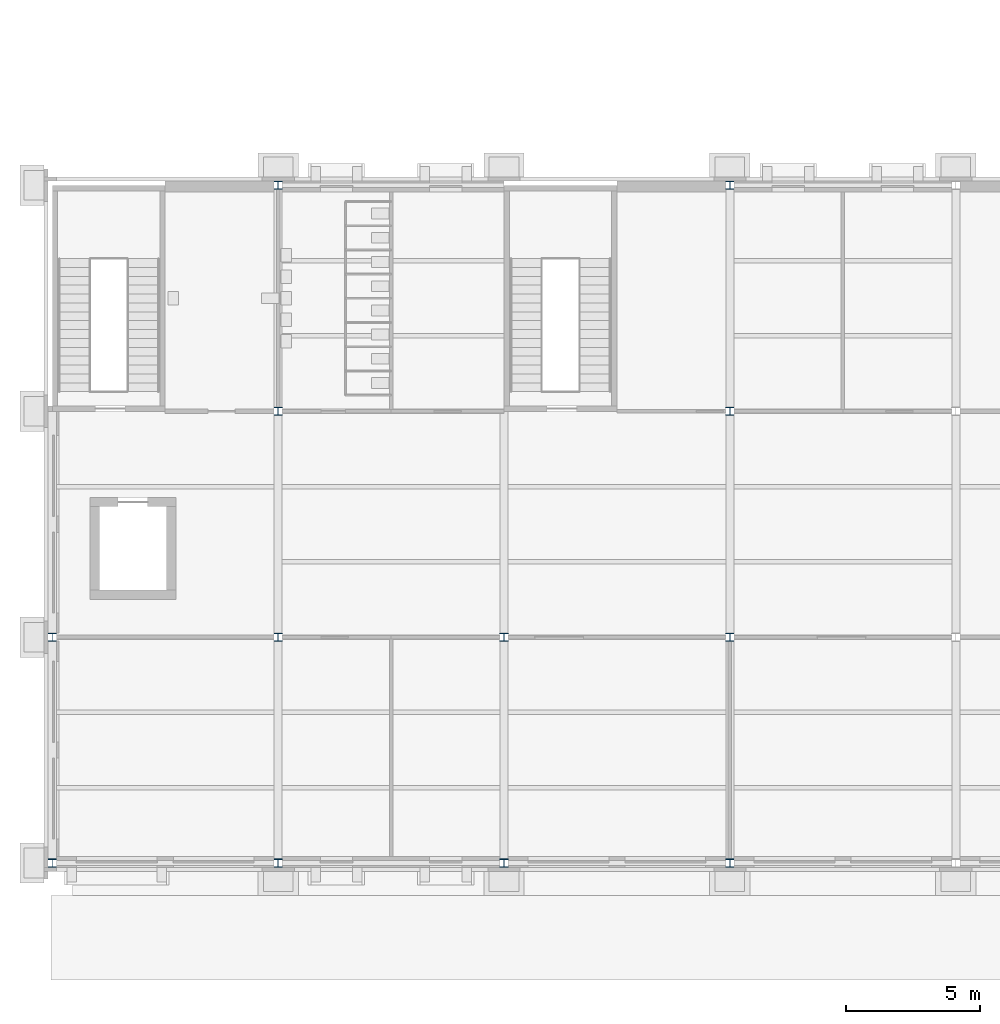
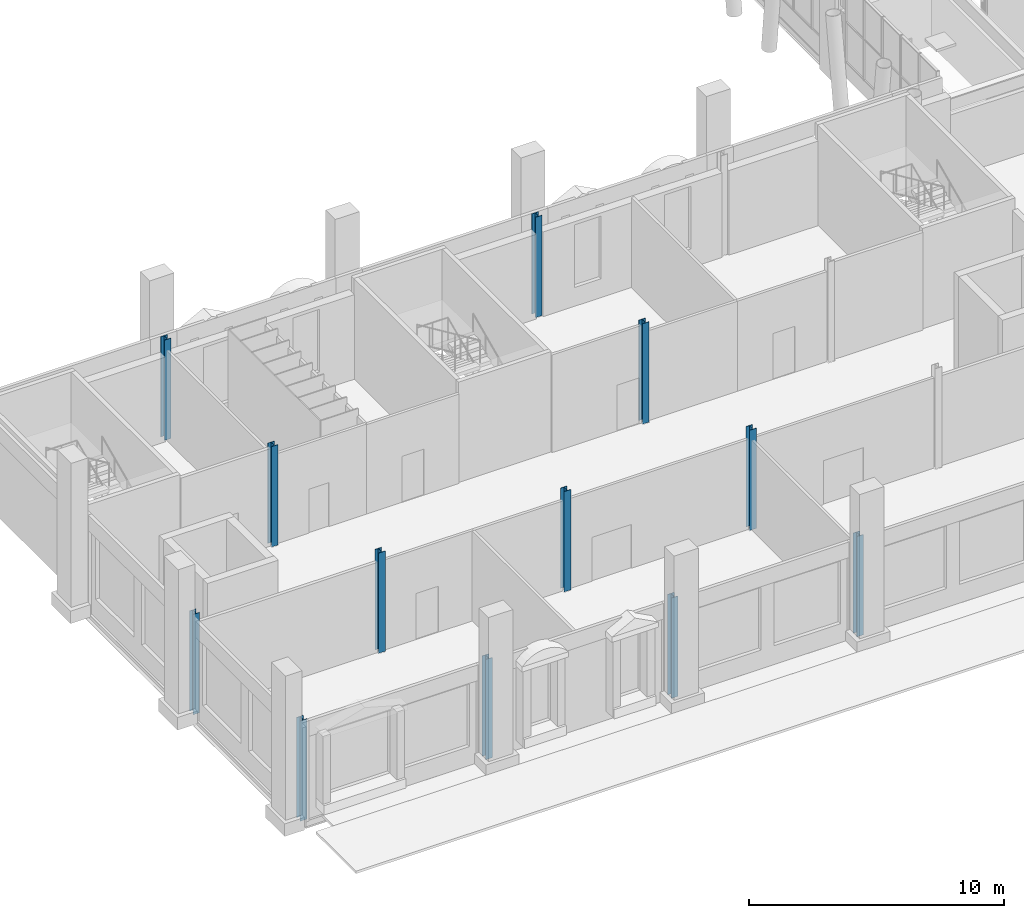
# One storey, part 1 of 76: 12 columns.
"""IFC4 building model written with IfcOpenShell, lengths in metres."""

from ifc_helpers import new_model, si_unit, direction, frame, origin, origin_2d, place, context, subcontext, project, spatial, i_section, extrude, material, material_profile, profile_set, type_object, element, save


model = new_model("IFC4")

# Units and contexts
model_context = context("Model", 3, precision=1e-05, world=origin(), true_north=direction((0.0, 1.0)))
body_context = subcontext(model_context, "Body", "Model", "MODEL_VIEW")
ifc_project = project(units=[si_unit("LENGTHUNIT", "METRE"), si_unit("AREAUNIT", "SQUARE_METRE"), si_unit("VOLUMEUNIT", "CUBIC_METRE"), si_unit("PLANEANGLEUNIT", "RADIAN"), si_unit("MASSUNIT", "GRAM", prefix="KILO")], contexts=[model_context])

# Site, building, storey
site_placement = place(None, origin())
site = spatial("IfcSite", under=ifc_project, at=site_placement, CompositionType="ELEMENT")
building_placement = place(site_placement, origin())
building = spatial("IfcBuilding", under=site, at=building_placement, Name="Sava Quay Ferry Terminal", CompositionType="ELEMENT")
storey_placement = place(building_placement, frame((0.0, 0.0, 6.0)))
storey = spatial("IfcBuildingStorey", under=building, at=storey_placement, Name="L01", CompositionType="ELEMENT", Elevation=6.0)

# Columns
ifc_material = material(Name="Steel S355", Category="steel")
ifc_material_profile = material_profile(ifc_material, i_section(OverallWidth=0.300048828125, OverallDepth=0.300048828125, WebThickness=0.010986328125, FlangeThickness=0.01904296875, at=origin_2d()), Name="HE 300 B")
ifc_profile_set = profile_set([ifc_material_profile], Name="Steel S355")
column_type = type_object("IfcColumnType", Name="Column HE 300 B", PredefinedType="COLUMN", material=ifc_profile_set)
for number, where, z_axis, x_axis, name in (
    (1, (0.0, 25.199951171875, 0.0), (0.0, 0.0, 1.0), (1.0, 0.0, 0.0), "Column L01 0/25.2"),
    (2, (0.0, 33.60009765625, 0.0), (0.0, 0.0, 1.0), (1.0, 0.0, 0.0), "Column L01 0/33.6"),
    (3, (8.39990234375, 25.199951171875, 0.0), (0.0, 0.0, 1.0), (1.0, 0.0, 0.0), "Column L01 8.4/25.2"),
    (4, (8.39990234375, 33.60009765625, 0.0), (0.0, 0.0, 1.0), (1.0, 0.0, 0.0), "Column L01 8.4/33.6"),
    (5, (8.39990234375, 42.0, 0.0), (0.0, 0.0, 1.0), (1.0, 0.0, 0.0), "Column L01 8.4/42"),
    (6, (8.39990234375, 50.39990234375, 0.0), (0.0, 0.0, 1.0), (1.0, 0.0, 0.0), "Column L01 8.4/50.4"),
    (7, (16.800048828125, 25.199951171875, 0.0), (0.0, 0.0, 1.0), (1.0, 0.0, 0.0), "Column L01 16.8/25.2"),
    (8, (16.800048828125, 33.60009765625, 0.0), (0.0, 0.0, 1.0), (1.0, 0.0, 0.0), "Column L01 16.8/33.6"),
    (9, (25.199951171875, 25.199951171875, 0.0), (0.0, 0.0, 1.0), (1.0, 0.0, 0.0), "Column L01 25.2/25.2"),
    (10, (25.199951171875, 33.60009765625, 0.0), (0.0, 0.0, 1.0), (1.0, 0.0, 0.0), "Column L01 25.2/33.6"),
    (11, (25.199951171875, 42.0, 0.0), (0.0, 0.0, 1.0), (1.0, 0.0, 0.0), "Column L01 25.2/42"),
    (12, (25.199951171875, 50.39990234375, 0.0), (0.0, 0.0, 1.0), (1.0, 0.0, 0.0), "Column L01 25.2/50.4"),
):
    element("IfcColumn", number, at=place(storey_placement, frame(where, z_axis=z_axis, x_axis=x_axis)), inside=storey, type_object=column_type, Name=name, PredefinedType="COLUMN", context=body_context, shape_type="SweptSolid", body=[
        extrude(i_section(OverallWidth=0.300048828125, OverallDepth=0.300048828125, WebThickness=0.010986328125, FlangeThickness=0.01904296875, at=origin_2d()), origin(), (0.0, 0.0, 1.0), 4.800048828125),
    ])

save(model, "model.ifc")
